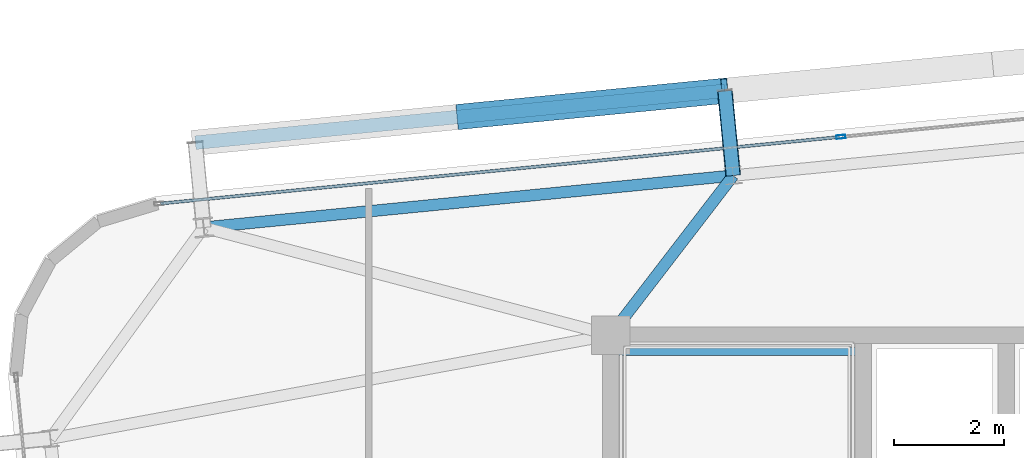
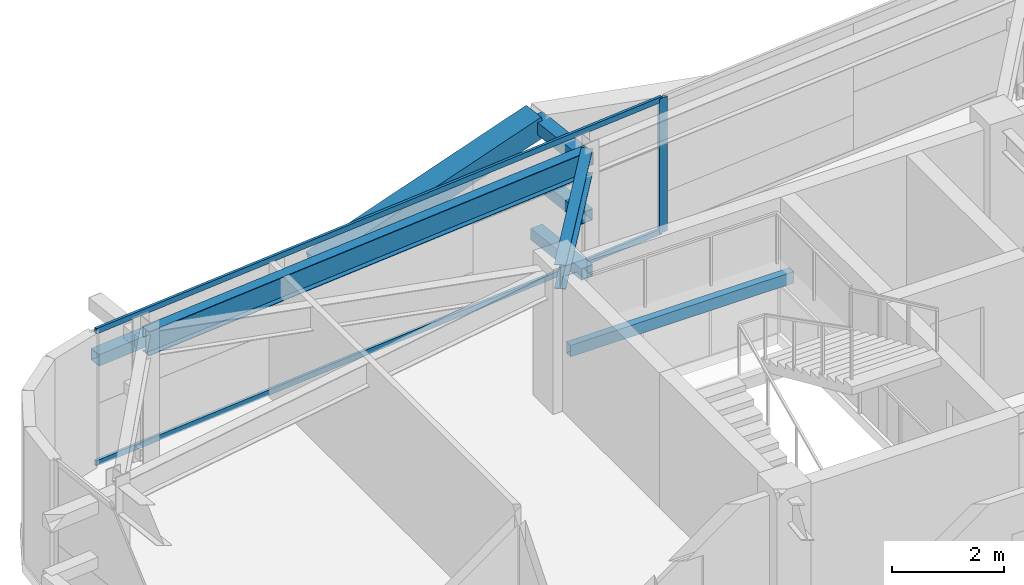
# One storey, part 25 of 47: 8 members, 3 beams, 1 element without a shape of its own.
"""IFC4 building model written with IfcOpenShell, lengths in metres."""

from ifc_helpers import new_model, si_unit, direction, frame, origin, origin_2d, place, context, subcontext, project, spatial, hollow_rectangle, i_section, extrude, source, transform, mapped, material, layer, layer_set, material_profile, profile_set, type_object, element, aggregate, save


model = new_model("IFC4")

# Units and contexts
model_context = context("Model", 3, precision=1e-05, world=origin(), true_north=direction((0.0, 1.0)))
body_context = subcontext(model_context, "Body", "Model", "MODEL_VIEW")
ifc_project = project(units=[si_unit("LENGTHUNIT", "METRE"), si_unit("AREAUNIT", "SQUARE_METRE"), si_unit("VOLUMEUNIT", "CUBIC_METRE"), si_unit("PLANEANGLEUNIT", "RADIAN"), si_unit("MASSUNIT", "GRAM", prefix="KILO")], contexts=[model_context])

# Site, building, storey
site_placement = place(None, origin())
site = spatial("IfcSite", under=ifc_project, at=site_placement, CompositionType="ELEMENT")
building_placement = place(site_placement, origin())
building = spatial("IfcBuilding", under=site, at=building_placement, Name="Taldren Reach Tower", CompositionType="ELEMENT")
storey_placement = place(building_placement, frame((0.0, 0.0, 87.14990234375)))
storey = spatial("IfcBuildingStorey", under=building, at=storey_placement, Name="L26", CompositionType="ELEMENT", Elevation=87.14990234375)

# Beams
ifc_material_1 = material(Name="Steel Gr 350 (350PLUS)", Category="steel")
ifc_material_profile_1 = material_profile(ifc_material_1, i_section(OverallWidth=0.208984375, OverallDepth=0.528076171875, WebThickness=0.009521484375, FlangeThickness=0.01318359375, at=origin_2d()), Name="530UB82.0")
ifc_profile_set_1 = profile_set([ifc_material_profile_1], Name="Steel Gr 350 (350PLUS)")
beam_type_1 = type_object("IfcBeamType", Name="SP-UB530B", PredefinedType="SPANDREL", material=ifc_profile_set_1)
shared_shape_1 = source(origin(), body_context, "Body", "SweptSolid", [
    extrude(i_section(OverallWidth=0.208984375, OverallDepth=0.528076171875, WebThickness=0.009521484375, FlangeThickness=0.01318359375, at=origin_2d()), origin(), (0.0, 0.0, 1.0), 9.679931640625),
])
beam_1_placement = place(storey_placement, frame((21.230712890625, 34.9013671875, 2.666015625), z_axis=(-0.995227612658, -0.097580730699, 0.0), x_axis=(0.097580730699, -0.995227612658, 0.0)))
element("IfcBeam", 1, at=beam_1_placement, inside=storey, type_object=beam_type_1, Name="Perimeter spandrel B2 N2-N1 L26", PredefinedType="SPANDREL", context=body_context, shape_type="MappedRepresentation", body=[
    mapped(shared_shape_1, transform((0.0, 0.0, 0.0), scale=1.0)),
])
ifc_material_profile_2 = material_profile(ifc_material_1, i_section(OverallWidth=0.208984375, OverallDepth=0.532958984375, WebThickness=0.01025390625, FlangeThickness=0.015625, at=origin_2d()), Name="530UB92.4")
ifc_profile_set_2 = profile_set([ifc_material_profile_2], Name="Steel Gr 350 (350PLUS)")
beam_type_2 = type_object("IfcBeamType", Name="BM-UB530A", PredefinedType="BEAM", material=ifc_profile_set_2)
shared_shape_2 = source(origin(), body_context, "Body", "SweptSolid", [
    extrude(i_section(OverallWidth=0.208984375, OverallDepth=0.532958984375, WebThickness=0.01025390625, FlangeThickness=0.015625, at=origin_2d()), origin(), (0.0, 0.0, 1.0), 3.65966796875),
])
beam_2_placement = place(storey_placement, frame((19.0, 32.0, 2.66357421875), z_axis=(0.609520535722, 0.792770279799, 0.0), x_axis=(-0.792770279799, 0.609520535722, 0.0)))
element("IfcBeam", 2, at=beam_2_placement, inside=storey, type_object=beam_type_2, Name="Primary floor girder B2-N2 L26", PredefinedType="BEAM", context=body_context, shape_type="MappedRepresentation", body=[
    mapped(shared_shape_2, transform((0.0, 0.0, 0.0), scale=1.0)),
])

# Members
ifc_material_2 = material(Name="Steel Gr 450 (C450L0)", Category="steel")
ifc_material_profile_3 = material_profile(ifc_material_2, hollow_rectangle(XDim=0.27490234375, YDim=0.27490234375, WallThickness=0.00927734375, at=origin_2d()), Name="275x275x9.3SHS")
ifc_profile_set_3 = profile_set([ifc_material_profile_3], Name="Steel Gr 450 (C450L0)")
member_type_1 = type_object("IfcMemberType", Name="MB-TIE273", PredefinedType="STRUT", material=ifc_profile_set_3)
shared_shape_3 = source(origin(), body_context, "Body", "SweptSolid", [
    extrude(hollow_rectangle(XDim=0.27490234375, YDim=0.27490234375, WallThickness=0.00927734375, at=origin_2d()), origin(), (0.0, 0.0, 1.0), 1.550048828125),
])
member_1_placement = place(storey_placement, frame((21.230712890625, 34.9013671875, 2.650146484375), z_axis=(-0.097647892962, 0.9952210252, 0.0), x_axis=(-0.9952210252, -0.097647892962, 0.0)))
element("IfcMember", 3, at=member_1_placement, inside=storey, type_object=member_type_1, Name="Exoskeleton diaphragm tie strut B2-N2 L26", PredefinedType="STRUT", context=body_context, shape_type="MappedRepresentation", body=[
    mapped(shared_shape_3, transform((0.0, 0.0, 0.0), scale=1.0)),
])
ifc_material_profile_4 = material_profile(ifc_material_2, hollow_rectangle(XDim=0.4599609375, YDim=0.4599609375, WallThickness=0.01611328125, at=origin_2d()), Name="460x460x16.0SHS")
ifc_profile_set_4 = profile_set([ifc_material_profile_4], Name="Steel Gr 450 (C450L0)")
member_type_2 = type_object("IfcMemberType", Name="MB-EXO457", PredefinedType="BRACE", material=ifc_profile_set_4)
shared_shape_4 = source(origin(), body_context, "Body", "SweptSolid", [
    extrude(hollow_rectangle(XDim=0.4599609375, YDim=0.4599609375, WallThickness=0.01611328125, at=origin_2d()), origin(), (0.0, 0.0, 1.0), 4.990234375),
])
member_2_placement = place(storey_placement, frame((16.262451171875, 35.9716796875, 1.43505859375), z_axis=(0.965271056716, 0.094667992638, 0.243494883389), x_axis=(-0.097605711627, 0.995225162995, 0.0)))
element("IfcMember", 4, at=member_2_placement, inside=storey, type_object=member_type_2, Name="Exoskeleton Diagrid Brace B2-N1 L26", PredefinedType="BRACE", context=body_context, shape_type="MappedRepresentation", body=[
    mapped(shared_shape_4, transform((0.0, 0.0, 0.0), scale=1.0)),
])
ifc_material_3 = material(Name="Steel Gr 350 (C350L0)", Category="steel")
ifc_material_profile_5 = material_profile(ifc_material_3, hollow_rectangle(XDim=0.25, YDim=0.25, WallThickness=0.010009765625, at=origin_2d()), Name="250x250x10.0SHS")
ifc_profile_set_5 = profile_set([ifc_material_profile_5], Name="Steel Gr 350 (C350L0)")
member_type_3 = type_object("IfcMemberType", Name="MB-POST250", PredefinedType="POST", material=ifc_profile_set_5)
shared_shape_5 = source(origin(), body_context, "Body", "SweptSolid", [
    extrude(hollow_rectangle(XDim=0.25, YDim=0.25, WallThickness=0.010009765625, at=origin_2d()), origin(), (0.0, 0.0, 1.0), 9.679931640625),
])
member_3_placement = place(storey_placement, frame((11.445556640625, 35.49951171875, 1.43505859375), z_axis=(0.995227612658, 0.097580730699, 0.0), x_axis=(-0.097580730699, 0.995227612658, 0.0)))
element("IfcMember", 5, at=member_3_placement, inside=storey, type_object=member_type_3, Name="Exoskeleton mid-height ring chord B2-N1 L26", PredefinedType="POST", context=body_context, shape_type="MappedRepresentation", body=[
    mapped(shared_shape_5, transform((0.0, 0.0, 0.0), scale=1.0)),
])
shared_shape_6 = source(origin(), body_context, "Body", "SweptSolid", [
    extrude(hollow_rectangle(XDim=0.25, YDim=0.25, WallThickness=0.010009765625, at=origin_2d()), origin(), (0.0, 0.0, 1.0), 1.550048828125),
])
for number, where, z_axis, x_axis, name in (
    (6, (21.230712890625, 34.9013671875, 0.22021484375), (-0.097647892962, 0.9952210252, 0.0), (-0.9952210252, -0.097647892962, 0.0), "Exoskeleton base diaphragm tie strut B2-N2 L26"),
    (7, (21.230712890625, 34.9013671875, 1.43505859375), (-0.097647892962, 0.9952210252, 0.0), (-0.9952210252, -0.097647892962, 0.0), "Exoskeleton mid-tier diaphragm tie B2-N2 L26"),
):
    element("IfcMember", number, at=place(storey_placement, frame(where, z_axis=z_axis, x_axis=x_axis)), inside=storey, type_object=member_type_3, Name=name, PredefinedType="POST", context=body_context, shape_type="MappedRepresentation", body=[
        mapped(shared_shape_6, transform((0.0, 0.0, 0.0), scale=1.0)),
    ])

# Curtain wall, members
ifc_material_4 = material(Name="Aluminium and Low-E Glass Unitised System", Category="aluminium")
ifc_layer = layer(ifc_material_4, 0.159912109375)
ifc_layer_set = layer_set([ifc_layer], Name="Aluminium and Low-E Glass Unitised System")
curtain_wall_type = type_object("IfcCurtainWallType", Name="CW-SYS-3", PredefinedType="NOTDEFINED", material=ifc_layer_set)
curtain_wall_placement = place(storey_placement, origin())
curtain_wall = element("IfcCurtainWall", 8, at=curtain_wall_placement, inside=storey, type_object=curtain_wall_type, Name="Unitised curtain wall CW-L26-N", PredefinedType="NOTDEFINED")
ifc_material_5 = material(Name="Anodised Aluminium 6063-T6", Category="aluminium")
ifc_material_profile_6 = material_profile(ifc_material_5, hollow_rectangle(XDim=0.06494140625, YDim=0.1650390625, WallThickness=0.00390625, at=origin_2d()), Name="ALU-165x65x4RHS")
ifc_profile_set_6 = profile_set([ifc_material_profile_6], Name="Anodised Aluminium 6063-T6")
member_type_4 = type_object("IfcMemberType", Name="CW-MUL-165", PredefinedType="MULLION", material=ifc_profile_set_6)
shared_shape_7 = source(origin(), body_context, "Body", "SweptSolid", [
    extrude(hollow_rectangle(XDim=0.06494140625, YDim=0.1650390625, WallThickness=0.00390625, at=origin_2d()), origin(), (0.0, 0.0, 1.0), 2.93017578125),
])
member_4_placement = place(storey_placement, frame((23.191162109375, 35.606201171875, 0.0), z_axis=(0.0, 0.0, 1.0), x_axis=(0.097582999046, -0.995227390247, 0.0)))
member_4 = element("IfcMember", 9, at=member_4_placement, type_object=member_type_4, Name="CW-3 mullion 4", PredefinedType="MULLION", context=body_context, shape_type="MappedRepresentation", body=[
    mapped(shared_shape_7, transform((0.0, 0.0, 0.0), scale=1.0)),
])
ifc_material_profile_7 = material_profile(ifc_material_5, hollow_rectangle(XDim=0.054931640625, YDim=0.1201171875, WallThickness=0.0029296875, at=origin_2d()), Name="ALU-120x55x3RHS")
ifc_profile_set_7 = profile_set([ifc_material_profile_7], Name="Anodised Aluminium 6063-T6")
member_type_5 = type_object("IfcMemberType", Name="CW-TRN-135", PredefinedType="USERDEFINED", material=ifc_profile_set_7)
shared_shape_8 = source(origin(), body_context, "Body", "SweptSolid", [
    extrude(hollow_rectangle(XDim=0.054931640625, YDim=0.1201171875, WallThickness=0.0029296875, at=origin_2d()), origin(), (0.0, 0.0, 1.0), 12.40234375),
])
member_5_placement = place(storey_placement, frame((23.158935546875, 35.60302734375, 0.027587890625), z_axis=(-0.995227887927, -0.097577923186, 0.0), x_axis=(0.097577923186, -0.995227887927, 0.0)))
member_5 = element("IfcMember", 10, at=member_5_placement, type_object=member_type_5, Name="CW-3 transom 4.1", ObjectType="TRANSOM", PredefinedType="USERDEFINED", context=body_context, shape_type="MappedRepresentation", body=[
    mapped(shared_shape_8, transform((0.0, 0.0, 0.0), scale=1.0)),
])
member_6_placement = place(storey_placement, frame((23.158935546875, 35.60302734375, 2.902587890625), z_axis=(-0.995227887927, -0.097577923186, 0.0), x_axis=(0.097577923186, -0.995227887927, 0.0)))
member_6 = element("IfcMember", 11, at=member_6_placement, type_object=member_type_5, Name="CW-3 transom 4.2", ObjectType="TRANSOM", PredefinedType="USERDEFINED", context=body_context, shape_type="MappedRepresentation", body=[
    mapped(shared_shape_8, transform((0.0, 0.0, 0.0), scale=1.0)),
])
aggregate(curtain_wall, [member_4, member_5, member_6])

# Beam
ifc_material_profile_8 = material_profile(ifc_material_3, hollow_rectangle(XDim=0.14990234375, YDim=0.25, WallThickness=0.009033203125, at=origin_2d()), Name="250x150x9.0RHS")
ifc_profile_set_8 = profile_set([ifc_material_profile_8], Name="Steel Gr 350 (C350L0)")
beam_type_3 = type_object("IfcBeamType", Name="LN-RHS250", PredefinedType="LINTEL", material=ifc_profile_set_8)
shared_shape_9 = source(origin(), body_context, "Body", "SweptSolid", [
    extrude(hollow_rectangle(XDim=0.14990234375, YDim=0.25, WallThickness=0.009033203125, at=origin_2d()), origin(), (0.0, 0.0, 1.0), 4.60009765625),
])
beam_3_placement = place(storey_placement, frame((19.0, 31.699951171875, 1.27001953125), z_axis=(1.0, 0.0, 0.0), x_axis=(0.0, 1.0, 0.0)))
element("IfcBeam", 12, at=beam_3_placement, inside=storey, type_object=beam_type_3, Name="Stair half-landing support beam ST1-L26-2", PredefinedType="LINTEL", context=body_context, shape_type="MappedRepresentation", body=[
    mapped(shared_shape_9, transform((0.0, 0.0, 0.0), scale=1.0)),
])

save(model, "model.ifc")
